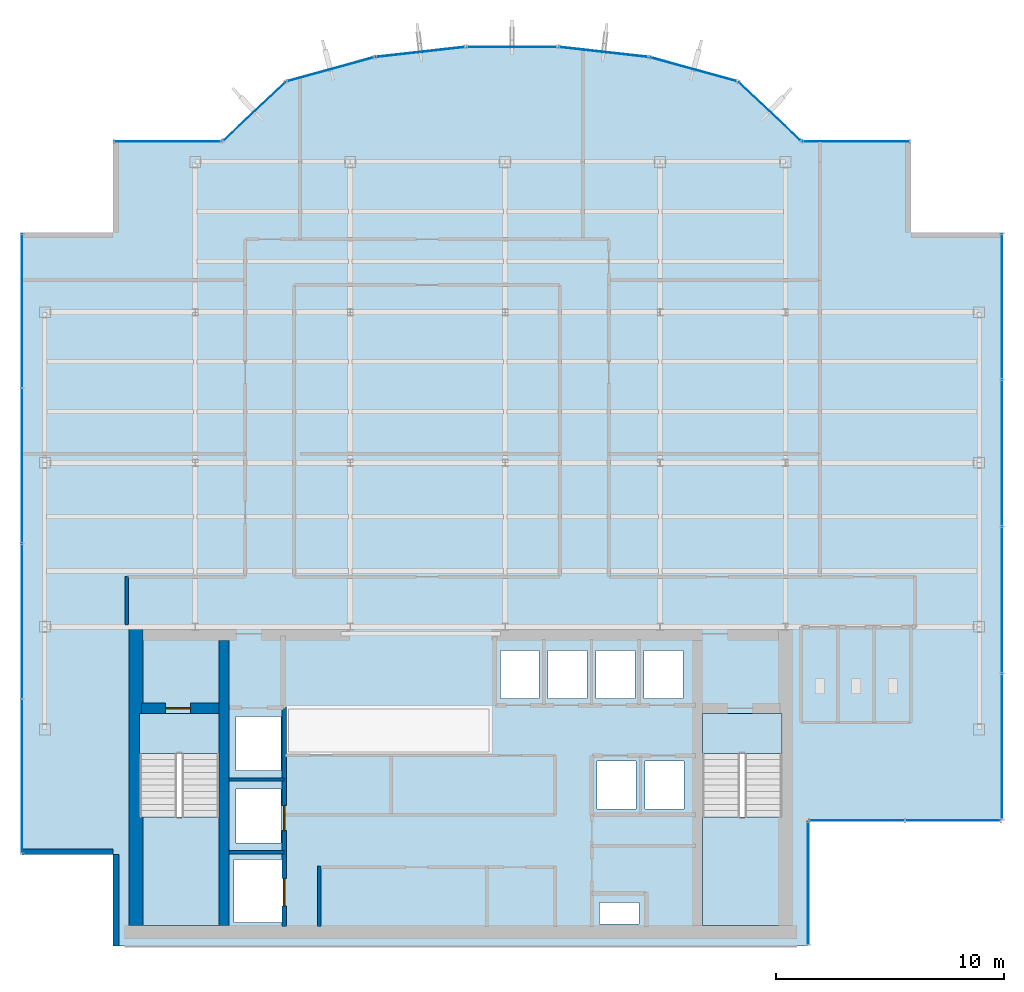
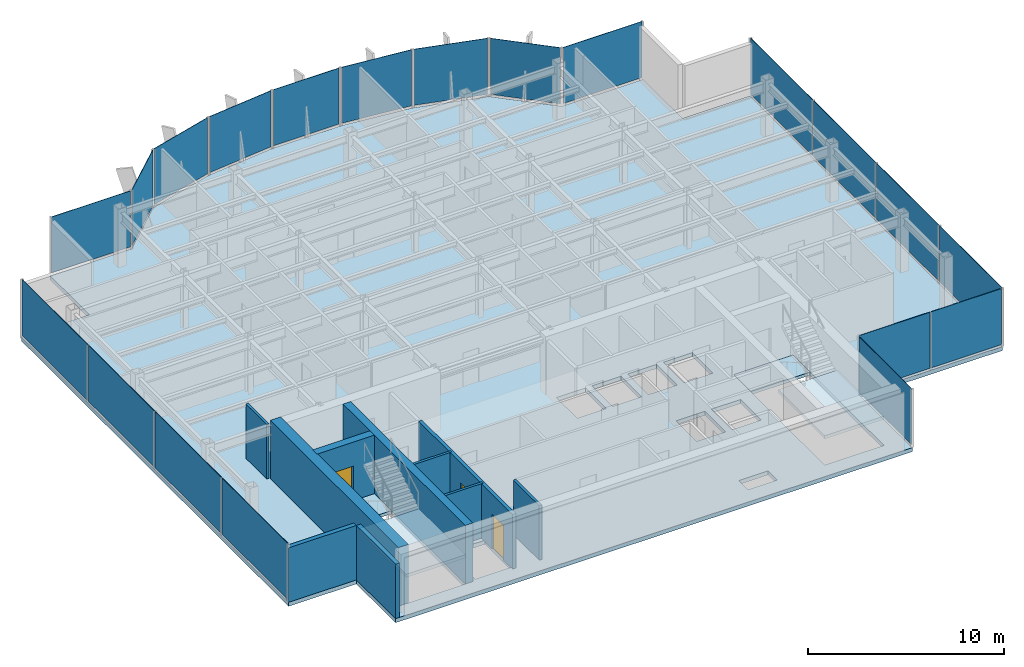
# One storey, part 16 of 22: 20 plates, 10 walls, 5 slabs, 3 doors, 3 openings, 15 elements without a shape of their own.
"""IFC4 building model written with IfcOpenShell, lengths in metres."""

from ifc_helpers import new_model, si_unit, derived_unit, direction, frame, frame_2d, origin, origin_2d, place, context, subcontext, project, spatial, polyline, rectangle, outline, extrude, source, transform, mapped, material, layer, layer_set, type_object, element, fill, aggregate, save


model = new_model("IFC4")

# Units and contexts
model_context = context("Model", 3, precision=1e-05, world=origin(), true_north=direction((0.0, 1.0)))
body_context = subcontext(model_context, "Body", "Model", "MODEL_VIEW")
ifc_project = project(units=[si_unit("LENGTHUNIT", "METRE"), si_unit("AREAUNIT", "SQUARE_METRE"), si_unit("VOLUMEUNIT", "CUBIC_METRE"), si_unit("PLANEANGLEUNIT", "RADIAN"), si_unit("MASSUNIT", "GRAM", prefix="KILO"), derived_unit("THERMALTRANSMITTANCEUNIT", [(si_unit("POWERUNIT", "WATT"), 1), (si_unit("LENGTHUNIT", "METRE"), -2), (si_unit("THERMODYNAMICTEMPERATUREUNIT", "KELVIN"), -1)])], contexts=[model_context])

# Site, building, storey
site_placement = place(None, origin())
site = spatial("IfcSite", under=ifc_project, at=site_placement, CompositionType="ELEMENT")
building_placement = place(site_placement, origin())
building = spatial("IfcBuilding", under=site, at=building_placement, Name="Skarnbrae Concourse Arena and Tower", CompositionType="ELEMENT")
storey_placement = place(building_placement, frame((0.0, 0.0, 277.050048828125)))
storey = spatial("IfcBuildingStorey", under=building, at=storey_placement, Name="L72", CompositionType="ELEMENT", Elevation=277.050048828125)

# Stair, slab
ifc_material_1 = material(Name="Concrete 40 MPa (C40/50)", Category="concrete")
stair_type = type_object("IfcStairType", Name="STAIR-DOGLEG-1650", PredefinedType="HALF_TURN_STAIR", material=ifc_material_1)
stair_1_placement = place(storey_placement, origin())
stair_1 = element("IfcStair", 1, at=stair_1_placement, inside=storey, type_object=stair_type, Name="L72 Protected Exit Stair ST-1", PredefinedType="HALF_TURN_STAIR")
ifc_layer_1 = layer(ifc_material_1, 0.199951171875)
ifc_layer_set_1 = layer_set([ifc_layer_1], Name="Concrete 40 MPa (C40/50)")
slab_type_1 = type_object("IfcSlabType", Name="SLAB-LANDING-200", PredefinedType="LANDING", material=ifc_layer_set_1)
slab_1_placement = place(storey_placement, frame((0.0, 0.0, 1.625)))
slab_1 = element("IfcSlab", 2, at=slab_1_placement, type_object=slab_type_1, Name="ST-1 landing 1", PredefinedType="LANDING", context=body_context, shape_type="SweptSolid", body=[
    extrude(outline(polyline([(5.14990234375, 5.64990234375), (5.14990234375, 0.89990234375), (8.64990234375, 0.89990234375), (8.64990234375, 5.64990234375), (5.14990234375, 5.64990234375)])), origin(), (0.0, 0.0, 1.0), 0.199951171875),
])
aggregate(stair_1, [slab_1])

stair_2_placement = place(storey_placement, origin())
stair_2 = element("IfcStair", 3, at=stair_2_placement, inside=storey, type_object=stair_type, Name="L72 Protected Exit Stair ST-2", PredefinedType="HALF_TURN_STAIR")
slab_2_placement = place(storey_placement, frame((0.0, 0.0, 1.625)))
slab_2 = element("IfcSlab", 4, at=slab_2_placement, type_object=slab_type_1, Name="ST-2 landing 1", PredefinedType="LANDING", context=body_context, shape_type="SweptSolid", body=[
    extrude(outline(polyline([(29.85009765625, 5.64990234375), (29.85009765625, 0.89990234375), (33.35009765625, 0.89990234375), (33.35009765625, 5.64990234375), (29.85009765625, 5.64990234375)])), origin(), (0.0, 0.0, 1.0), 0.199951171875),
])
aggregate(stair_2, [slab_2])

# Slabs
slab_3_placement = place(storey_placement, frame((0.0, 0.0, -0.199951171875)))
element("IfcSlab", 5, at=slab_3_placement, inside=storey, type_object=slab_type_1, Name="L72 Core stair ST1 floor landing", PredefinedType="LANDING", context=body_context, shape_type="SweptSolid", body=[
    extrude(outline(polyline([(5.14990234375, 10.199951171875), (5.14990234375, 8.449951171875), (8.64990234375, 8.449951171875), (8.64990234375, 10.199951171875), (5.14990234375, 10.199951171875)])), origin(), (0.0, 0.0, 1.0), 0.199951171875),
])
slab_4_placement = place(storey_placement, frame((0.0, 0.0, -0.199951171875)))
element("IfcSlab", 6, at=slab_4_placement, inside=storey, type_object=slab_type_1, Name="L72 Core stair ST2 floor landing", PredefinedType="LANDING", context=body_context, shape_type="SweptSolid", body=[
    extrude(outline(polyline([(29.85009765625, 10.199951171875), (29.85009765625, 8.449951171875), (33.35009765625, 8.449951171875), (33.35009765625, 10.199951171875), (29.85009765625, 10.199951171875)])), origin(), (0.0, 0.0, 1.0), 0.199951171875),
])
ifc_layer_2 = layer(ifc_material_1, 0.25)
ifc_layer_set_2 = layer_set([ifc_layer_2], Name="Concrete 40 MPa (C40/50)")
slab_type_2 = type_object("IfcSlabType", Name="SLAB-TOWER-250", PredefinedType="FLOOR", material=ifc_layer_set_2)
slab_5_placement = place(storey_placement, frame((0.0, 0.0, -0.25)))
element("IfcSlab", 7, at=slab_5_placement, inside=storey, type_object=slab_type_2, Name="L72 Structural floor slab", PredefinedType="FLOOR", context=body_context, shape_type="SweptSolid", body=[
    extrude(outline(polyline([(4.0, 0.0), (34.5, 0.0), (34.5, 5.5), (43.0, 5.5), (43.0, 31.300048828125), (39.0, 31.300048828125), (39.0, 35.300048828125), (34.199951171875, 35.300048828125), (31.40966796875, 37.9267578125), (27.52587890625, 38.9970703125), (23.51708984375, 39.44677734375), (19.48291015625, 39.44677734375), (15.47412109375, 38.9970703125), (11.59033203125, 37.9267578125), (8.800048828125, 35.300048828125), (4.0, 35.300048828125), (4.0, 31.300048828125), (0.0, 31.300048828125), (0.0, 4.0), (4.0, 4.0), (4.0, 0.0)]), holes=[polyline([(9.294921875, 1.02001953125), (9.294921875, 3.780029296875), (11.455078125, 3.780029296875), (11.455078125, 1.02001953125), (9.294921875, 1.02001953125)]), polyline([(8.64990234375, 10.199951171875), (8.64990234375, 0.89990234375), (5.14990234375, 0.89990234375), (5.14990234375, 10.199951171875), (8.64990234375, 10.199951171875)]), polyline([(9.39501953125, 6.8798828125), (11.35498046875, 6.8798828125), (11.35498046875, 4.52001953125), (9.39501953125, 4.52001953125), (9.39501953125, 6.8798828125)]), polyline([(9.39501953125, 7.695068359375), (9.39501953125, 10.054931640625), (11.35498046875, 10.054931640625), (11.35498046875, 7.695068359375), (9.39501953125, 7.695068359375)]), polyline([(20.985107421875, 12.955078125), (22.695068359375, 12.955078125), (22.695068359375, 10.844970703125), (20.985107421875, 10.844970703125), (20.985107421875, 12.955078125)]), polyline([(23.0849609375, 12.955078125), (24.794921875, 12.955078125), (24.794921875, 10.844970703125), (23.0849609375, 10.844970703125), (23.0849609375, 12.955078125)]), polyline([(25.35009765625, 0.949951171875), (25.35009765625, 1.889892578125), (27.080078125, 1.889892578125), (27.080078125, 0.949951171875), (25.35009765625, 0.949951171875)]), polyline([(33.35009765625, 10.199951171875), (33.35009765625, 0.89990234375), (29.85009765625, 0.89990234375), (29.85009765625, 10.199951171875), (33.35009765625, 10.199951171875)]), polyline([(25.235107421875, 8.10498046875), (26.945068359375, 8.10498046875), (26.945068359375, 5.9951171875), (25.235107421875, 5.9951171875), (25.235107421875, 8.10498046875)]), polyline([(27.3349609375, 5.9951171875), (27.3349609375, 8.10498046875), (29.044921875, 8.10498046875), (29.044921875, 5.9951171875), (27.3349609375, 5.9951171875)]), polyline([(25.18505859375, 12.955078125), (26.89501953125, 12.955078125), (26.89501953125, 10.844970703125), (25.18505859375, 10.844970703125), (25.18505859375, 12.955078125)]), polyline([(27.284912109375, 12.955078125), (28.9951171875, 12.955078125), (28.9951171875, 10.844970703125), (27.284912109375, 10.844970703125), (27.284912109375, 12.955078125)])]), origin(), (0.0, 0.0, 1.0), 0.25),
])

# Curtain wall, plate
ifc_material_2 = material(Name="Bronze anodised aluminium 6063-T6", Category="aluminium")
curtain_wall_type = type_object("IfcCurtainWallType", Name="CW-SYS-05-HIGHZONE", PredefinedType="USERDEFINED", material=ifc_material_2)
curtain_wall_1_placement = place(storey_placement, origin())
curtain_wall_1 = element("IfcCurtainWall", 8, at=curtain_wall_1_placement, inside=storey, type_object=curtain_wall_type, Name="L72 Unitised curtain wall CW-L72-E02", ObjectType="UNITISED CURTAIN WALL", PredefinedType="USERDEFINED")
ifc_material_3 = material(Name="Low-E triple insulating glass", Category="glass")
ifc_layer_3 = layer(ifc_material_3, 0.030029296875)
ifc_layer_set_3 = layer_set([ifc_layer_3], Name="Low-E triple insulating glass")
plate_type = type_object("IfcPlateType", Name="CWP-CW-05", PredefinedType="CURTAIN_PANEL", material=ifc_layer_set_3)
shared_shape_1 = source(origin(), body_context, "Body", "SweptSolid", [
    extrude(rectangle(XDim=5.35009765625, YDim=0.030029296875, at=origin_2d()), origin(), (0.0, 0.0, 1.0), 3.5),
])
plate_1_placement = place(storey_placement, frame((34.5, 2.75, 0.14990234375), z_axis=(0.0, 0.0, 1.0), x_axis=(0.0, 1.0, 0.0)))
plate_1 = element("IfcPlate", 9, at=plate_1_placement, type_object=plate_type, Name="CW-L72-E02 Low-E Glazing Panel 1", PredefinedType="CURTAIN_PANEL", context=body_context, shape_type="MappedRepresentation", body=[
    mapped(shared_shape_1, transform((0.0, 0.0, 0.0))),
])
aggregate(curtain_wall_1, [plate_1])

# Curtain wall, plates
curtain_wall_2_placement = place(storey_placement, origin())
curtain_wall_2 = element("IfcCurtainWall", 10, at=curtain_wall_2_placement, inside=storey, type_object=curtain_wall_type, Name="L72 Unitised curtain wall CW-L72-E03", ObjectType="UNITISED CURTAIN WALL", PredefinedType="USERDEFINED")
shared_shape_2 = source(origin(), body_context, "Body", "SweptSolid", [
    extrude(rectangle(XDim=4.137451171875, YDim=0.030029296875, at=origin_2d()), origin(), (0.0, 0.0, 1.0), 3.5),
])
plate_2_placement = place(storey_placement, frame((36.643798828125, 5.5, 0.14990234375), z_axis=(0.0, 0.0, 1.0), x_axis=(1.0, 0.0, 0.0)))
plate_2 = element("IfcPlate", 11, at=plate_2_placement, type_object=plate_type, Name="CW-L72-E03 Low-E Glazing Panel 1", PredefinedType="CURTAIN_PANEL", context=body_context, shape_type="MappedRepresentation", body=[
    mapped(shared_shape_2, transform((0.0, 0.0, 0.0))),
])
plate_3_placement = place(storey_placement, frame((40.856201171875, 5.5, 0.14990234375), z_axis=(0.0, 0.0, 1.0), x_axis=(1.0, 0.0, 0.0)))
plate_3 = element("IfcPlate", 12, at=plate_3_placement, type_object=plate_type, Name="CW-L72-E03 Low-E Glazing Panel 2", PredefinedType="CURTAIN_PANEL", context=body_context, shape_type="MappedRepresentation", body=[
    mapped(shared_shape_2, transform((0.0, 0.0, 0.0))),
])
aggregate(curtain_wall_2, [plate_2, plate_3])

# Curtain wall, plate
curtain_wall_3_placement = place(storey_placement, origin())
curtain_wall_3 = element("IfcCurtainWall", 13, at=curtain_wall_3_placement, inside=storey, type_object=curtain_wall_type, Name="L72 Unitised curtain wall CW-L72-E07", ObjectType="UNITISED CURTAIN WALL", PredefinedType="USERDEFINED")
shared_shape_3 = source(origin(), body_context, "Body", "SweptSolid", [
    extrude(rectangle(XDim=4.64990234375, YDim=0.030029296875, at=origin_2d()), origin(), (0.0, 0.0, 1.0), 3.5),
])
plate_4_placement = place(storey_placement, frame((36.60009765625, 35.300048828125, 0.14990234375), z_axis=(0.0, 0.0, 1.0), x_axis=(-1.0, 0.0, 0.0)))
plate_4 = element("IfcPlate", 14, at=plate_4_placement, type_object=plate_type, Name="CW-L72-E07 Low-E Glazing Panel 1", PredefinedType="CURTAIN_PANEL", context=body_context, shape_type="MappedRepresentation", body=[
    mapped(shared_shape_3, transform((0.0, 0.0, 0.0))),
])
aggregate(curtain_wall_3, [plate_4])

curtain_wall_4_placement = place(storey_placement, origin())
curtain_wall_4 = element("IfcCurtainWall", 15, at=curtain_wall_4_placement, inside=storey, type_object=curtain_wall_type, Name="L72 Unitised curtain wall CW-L72-E15", ObjectType="UNITISED CURTAIN WALL", PredefinedType="USERDEFINED")
plate_5_placement = place(storey_placement, frame((6.39990234375, 35.300048828125, 0.14990234375), z_axis=(0.0, 0.0, 1.0), x_axis=(-1.0, 0.0, 0.0)))
plate_5 = element("IfcPlate", 16, at=plate_5_placement, type_object=plate_type, Name="CW-L72-E15 Low-E Glazing Panel 1", PredefinedType="CURTAIN_PANEL", context=body_context, shape_type="MappedRepresentation", body=[
    mapped(shared_shape_3, transform((0.0, 0.0, 0.0))),
])
aggregate(curtain_wall_4, [plate_5])

curtain_wall_5_placement = place(storey_placement, origin())
curtain_wall_5 = element("IfcCurtainWall", 17, at=curtain_wall_5_placement, inside=storey, type_object=curtain_wall_type, Name="L72 Unitised curtain wall CW-L72-E08", ObjectType="UNITISED CURTAIN WALL", PredefinedType="USERDEFINED")
shared_shape_4 = source(origin(), body_context, "Body", "SweptSolid", [
    extrude(rectangle(XDim=3.68212890625, YDim=0.030029296875, at=origin_2d()), origin(), (0.0, 0.0, 1.0), 3.5),
])
plate_6_placement = place(storey_placement, frame((32.804931640625, 36.61328125, 0.14990234375), z_axis=(0.0, 0.0, 1.0), x_axis=(-0.728130555214, 0.685438468838, 0.0)))
plate_6 = element("IfcPlate", 18, at=plate_6_placement, type_object=plate_type, Name="CW-L72-E08 Low-E Glazing Panel 1", PredefinedType="CURTAIN_PANEL", context=body_context, shape_type="MappedRepresentation", body=[
    mapped(shared_shape_4, transform((0.0, 0.0, 0.0))),
])
aggregate(curtain_wall_5, [plate_6])

curtain_wall_6_placement = place(storey_placement, origin())
curtain_wall_6 = element("IfcCurtainWall", 19, at=curtain_wall_6_placement, inside=storey, type_object=curtain_wall_type, Name="L72 Unitised curtain wall CW-L72-E14", ObjectType="UNITISED CURTAIN WALL", PredefinedType="USERDEFINED")
plate_7_placement = place(storey_placement, frame((10.195068359375, 36.61328125, 0.14990234375), z_axis=(0.0, 0.0, 1.0), x_axis=(-0.728130555214, -0.685438468838, 0.0)))
plate_7 = element("IfcPlate", 20, at=plate_7_placement, type_object=plate_type, Name="CW-L72-E14 Low-E Glazing Panel 1", PredefinedType="CURTAIN_PANEL", context=body_context, shape_type="MappedRepresentation", body=[
    mapped(shared_shape_4, transform((0.0, 0.0, 0.0))),
])
aggregate(curtain_wall_6, [plate_7])

curtain_wall_7_placement = place(storey_placement, origin())
curtain_wall_7 = element("IfcCurtainWall", 21, at=curtain_wall_7_placement, inside=storey, type_object=curtain_wall_type, Name="L72 Unitised curtain wall CW-L72-E09", ObjectType="UNITISED CURTAIN WALL", PredefinedType="USERDEFINED")
shared_shape_5 = source(origin(), body_context, "Body", "SweptSolid", [
    extrude(rectangle(XDim=3.878662109375, YDim=0.030029296875, at=origin_2d()), origin(), (0.0, 0.0, 1.0), 3.5),
])
plate_8_placement = place(storey_placement, frame((29.4677734375, 38.4619140625, 0.14990234375), z_axis=(0.0, 0.0, 1.0), x_axis=(-0.964057388766, 0.265694093207, 0.0)))
plate_8 = element("IfcPlate", 22, at=plate_8_placement, type_object=plate_type, Name="CW-L72-E09 Low-E Glazing Panel 1", PredefinedType="CURTAIN_PANEL", context=body_context, shape_type="MappedRepresentation", body=[
    mapped(shared_shape_5, transform((0.0, 0.0, 0.0))),
])
aggregate(curtain_wall_7, [plate_8])

curtain_wall_8_placement = place(storey_placement, origin())
curtain_wall_8 = element("IfcCurtainWall", 23, at=curtain_wall_8_placement, inside=storey, type_object=curtain_wall_type, Name="L72 Unitised curtain wall CW-L72-E13", ObjectType="UNITISED CURTAIN WALL", PredefinedType="USERDEFINED")
plate_9_placement = place(storey_placement, frame((13.5322265625, 38.4619140625, 0.14990234375), z_axis=(0.0, 0.0, 1.0), x_axis=(-0.964057388766, -0.265694093207, 0.0)))
plate_9 = element("IfcPlate", 24, at=plate_9_placement, type_object=plate_type, Name="CW-L72-E13 Low-E Glazing Panel 1", PredefinedType="CURTAIN_PANEL", context=body_context, shape_type="MappedRepresentation", body=[
    mapped(shared_shape_5, transform((0.0, 0.0, 0.0))),
])
aggregate(curtain_wall_8, [plate_9])

curtain_wall_9_placement = place(storey_placement, origin())
curtain_wall_9 = element("IfcCurtainWall", 25, at=curtain_wall_9_placement, inside=storey, type_object=curtain_wall_type, Name="L72 Unitised curtain wall CW-L72-E10", ObjectType="UNITISED CURTAIN WALL", PredefinedType="USERDEFINED")
shared_shape_6 = source(origin(), body_context, "Body", "SweptSolid", [
    extrude(rectangle(XDim=3.8837890625, YDim=0.030029296875, at=origin_2d()), origin(), (0.0, 0.0, 1.0), 3.5),
])
plate_10_placement = place(storey_placement, frame((25.521484375, 39.221923828125, 0.14990234375), z_axis=(0.0, 0.0, 1.0), x_axis=(-0.993768891873, 0.111460259941, 0.0)))
plate_10 = element("IfcPlate", 26, at=plate_10_placement, type_object=plate_type, Name="CW-L72-E10 Low-E Glazing Panel 1", PredefinedType="CURTAIN_PANEL", context=body_context, shape_type="MappedRepresentation", body=[
    mapped(shared_shape_6, transform((0.0, 0.0, 0.0))),
])
aggregate(curtain_wall_9, [plate_10])

curtain_wall_10_placement = place(storey_placement, origin())
curtain_wall_10 = element("IfcCurtainWall", 27, at=curtain_wall_10_placement, inside=storey, type_object=curtain_wall_type, Name="L72 Unitised curtain wall CW-L72-E12", ObjectType="UNITISED CURTAIN WALL", PredefinedType="USERDEFINED")
plate_11_placement = place(storey_placement, frame((17.478515625, 39.221923828125, 0.14990234375), z_axis=(0.0, 0.0, 1.0), x_axis=(-0.993768891873, -0.111460259941, 0.0)))
plate_11 = element("IfcPlate", 28, at=plate_11_placement, type_object=plate_type, Name="CW-L72-E12 Low-E Glazing Panel 1", PredefinedType="CURTAIN_PANEL", context=body_context, shape_type="MappedRepresentation", body=[
    mapped(shared_shape_6, transform((0.0, 0.0, 0.0))),
])
aggregate(curtain_wall_10, [plate_11])

curtain_wall_11_placement = place(storey_placement, origin())
curtain_wall_11 = element("IfcCurtainWall", 29, at=curtain_wall_11_placement, inside=storey, type_object=curtain_wall_type, Name="L72 Unitised curtain wall CW-L72-E11", ObjectType="UNITISED CURTAIN WALL", PredefinedType="USERDEFINED")
shared_shape_7 = source(origin(), body_context, "Body", "SweptSolid", [
    extrude(rectangle(XDim=3.884521484375, YDim=0.030029296875, at=origin_2d()), origin(), (0.0, 0.0, 1.0), 3.5),
])
plate_12_placement = place(storey_placement, frame((21.5, 39.44677734375, 0.14990234375), z_axis=(0.0, 0.0, 1.0), x_axis=(-1.0, 0.0, 0.0)))
plate_12 = element("IfcPlate", 30, at=plate_12_placement, type_object=plate_type, Name="CW-L72-E11 Low-E Glazing Panel 1", PredefinedType="CURTAIN_PANEL", context=body_context, shape_type="MappedRepresentation", body=[
    mapped(shared_shape_7, transform((0.0, 0.0, 0.0))),
])
aggregate(curtain_wall_11, [plate_12])

# Curtain wall, plates
curtain_wall_12_placement = place(storey_placement, origin())
curtain_wall_12 = element("IfcCurtainWall", 31, at=curtain_wall_12_placement, inside=storey, type_object=curtain_wall_type, Name="L72 Unitised curtain wall CW-L72-E18", ObjectType="UNITISED CURTAIN WALL", PredefinedType="USERDEFINED")
shared_shape_8 = source(origin(), body_context, "Body", "SweptSolid", [
    extrude(rectangle(XDim=6.71240234375, YDim=0.030029296875, at=origin_2d()), origin(), (0.0, 0.0, 1.0), 3.5),
])
plate_13_placement = place(storey_placement, frame((0.0, 27.86865234375, 0.14990234375), z_axis=(0.0, 0.0, 1.0), x_axis=(0.0, -1.0, 0.0)))
plate_13 = element("IfcPlate", 32, at=plate_13_placement, type_object=plate_type, Name="CW-L72-E18 Low-E Glazing Panel 1", PredefinedType="CURTAIN_PANEL", context=body_context, shape_type="MappedRepresentation", body=[
    mapped(shared_shape_8, transform((0.0, 0.0, 0.0))),
])
plate_14_placement = place(storey_placement, frame((0.0, 7.431396484375, 0.14990234375), z_axis=(0.0, 0.0, 1.0), x_axis=(0.0, -1.0, 0.0)))
plate_14 = element("IfcPlate", 33, at=plate_14_placement, type_object=plate_type, Name="CW-L72-E18 Low-E Glazing Panel 4", PredefinedType="CURTAIN_PANEL", context=body_context, shape_type="MappedRepresentation", body=[
    mapped(shared_shape_8, transform((0.0, 0.0, 0.0))),
])
shared_shape_9 = source(origin(), body_context, "Body", "SweptSolid", [
    extrude(rectangle(XDim=6.75, YDim=0.030029296875, at=origin_2d()), origin(), (0.0, 0.0, 1.0), 3.5),
])
plate_15_placement = place(storey_placement, frame((0.0, 21.0625, 0.14990234375), z_axis=(0.0, 0.0, 1.0), x_axis=(0.0, -1.0, 0.0)))
plate_15 = element("IfcPlate", 34, at=plate_15_placement, type_object=plate_type, Name="CW-L72-E18 Low-E Glazing Panel 2", PredefinedType="CURTAIN_PANEL", context=body_context, shape_type="MappedRepresentation", body=[
    mapped(shared_shape_9, transform((0.0, 0.0, 0.0))),
])
plate_16_placement = place(storey_placement, frame((0.0, 14.237548828125, 0.14990234375), z_axis=(0.0, 0.0, 1.0), x_axis=(0.0, -1.0, 0.0)))
plate_16 = element("IfcPlate", 35, at=plate_16_placement, type_object=plate_type, Name="CW-L72-E18 Low-E Glazing Panel 3", PredefinedType="CURTAIN_PANEL", context=body_context, shape_type="MappedRepresentation", body=[
    mapped(shared_shape_9, transform((0.0, 0.0, 0.0))),
])
aggregate(curtain_wall_12, [plate_13, plate_15, plate_16, plate_14])

curtain_wall_13_placement = place(storey_placement, origin())
curtain_wall_13 = element("IfcCurtainWall", 36, at=curtain_wall_13_placement, inside=storey, type_object=curtain_wall_type, Name="L72 Unitised curtain wall CW-L72-E04", ObjectType="UNITISED CURTAIN WALL", PredefinedType="USERDEFINED")
shared_shape_10 = source(origin(), body_context, "Body", "SweptSolid", [
    extrude(rectangle(XDim=6.33740234375, YDim=0.030029296875, at=origin_2d()), origin(), (0.0, 0.0, 1.0), 3.5),
])
plate_17_placement = place(storey_placement, frame((43.0, 8.743896484375, 0.14990234375), z_axis=(0.0, 0.0, 1.0), x_axis=(0.0, 1.0, 0.0)))
plate_17 = element("IfcPlate", 37, at=plate_17_placement, type_object=plate_type, Name="CW-L72-E04 Low-E Glazing Panel 1", PredefinedType="CURTAIN_PANEL", context=body_context, shape_type="MappedRepresentation", body=[
    mapped(shared_shape_10, transform((0.0, 0.0, 0.0))),
])
plate_18_placement = place(storey_placement, frame((43.0, 28.05615234375, 0.14990234375), z_axis=(0.0, 0.0, 1.0), x_axis=(0.0, 1.0, 0.0)))
plate_18 = element("IfcPlate", 38, at=plate_18_placement, type_object=plate_type, Name="CW-L72-E04 Low-E Glazing Panel 4", PredefinedType="CURTAIN_PANEL", context=body_context, shape_type="MappedRepresentation", body=[
    mapped(shared_shape_10, transform((0.0, 0.0, 0.0))),
])
shared_shape_11 = source(origin(), body_context, "Body", "SweptSolid", [
    extrude(rectangle(XDim=6.375, YDim=0.030029296875, at=origin_2d()), origin(), (0.0, 0.0, 1.0), 3.5),
])
plate_19_placement = place(storey_placement, frame((43.0, 15.175048828125, 0.14990234375), z_axis=(0.0, 0.0, 1.0), x_axis=(0.0, 1.0, 0.0)))
plate_19 = element("IfcPlate", 39, at=plate_19_placement, type_object=plate_type, Name="CW-L72-E04 Low-E Glazing Panel 2", PredefinedType="CURTAIN_PANEL", context=body_context, shape_type="MappedRepresentation", body=[
    mapped(shared_shape_11, transform((0.0, 0.0, 0.0))),
])
plate_20_placement = place(storey_placement, frame((43.0, 21.625, 0.14990234375), z_axis=(0.0, 0.0, 1.0), x_axis=(0.0, 1.0, 0.0)))
plate_20 = element("IfcPlate", 40, at=plate_20_placement, type_object=plate_type, Name="CW-L72-E04 Low-E Glazing Panel 3", PredefinedType="CURTAIN_PANEL", context=body_context, shape_type="MappedRepresentation", body=[
    mapped(shared_shape_11, transform((0.0, 0.0, 0.0))),
])
aggregate(curtain_wall_13, [plate_17, plate_19, plate_20, plate_18])

# Wall, opening, door
ifc_material_4 = material(Name="Concrete 50 MPa (C50/60)", Category="concrete")
ifc_layer_4 = layer(ifc_material_4, 0.449951171875)
ifc_layer_set_4 = layer_set([ifc_layer_4], Name="Concrete 50 MPa (C50/60)")
wall_type_1 = type_object("IfcWallType", Name="WALL-CORE-450-C50", PredefinedType="SHEAR", material=ifc_layer_set_4)
shared_shape_12 = source(origin(), body_context, "Body", "SweptSolid", [
    extrude(rectangle(XDim=3.389892578125, YDim=0.449951171875, at=frame_2d((1.69482421875, 0.0))), origin(), (0.0, 0.0, 1.0), 3.64990234375),
])
wall_1_placement = place(storey_placement, frame((5.25, 10.419921875, 0.0), z_axis=(0.0, 0.0, 1.0), x_axis=(1.0, 0.0, 0.0)))
wall_1 = element("IfcWall", 41, at=wall_1_placement, inside=storey, type_object=wall_type_1, Name="L72 Rear core shear wall CW-ST1-N", PredefinedType="SHEAR", context=body_context, shape_type="MappedRepresentation", body=[
    mapped(shared_shape_12, transform((0.0, 0.0, 0.0))),
])
opening_1_placement = place(wall_1_placement, frame((1.050048828125, 0.0, 0.0)))
opening_1 = element("IfcOpeningElement", 42, at=opening_1_placement, cuts=wall_1, Name="Opening DT-03", PredefinedType="OPENING", context=body_context, shape_type="SweptSolid", body=[
    extrude(rectangle(XDim=1.10009765625, YDim=2.14990234375, at=frame_2d((0.550048828125, 1.074951171875))), frame((0.0, 0.23486328125, 0.0), z_axis=(0.0, -1.0, 0.0), x_axis=(1.0, 0.0, 0.0)), (0.0, 0.0, 1.0), 0.469970703125),
])
ifc_material_5 = material(Name="Steel CSA G40.21 350W", Category="steel")
door_type_1 = type_object("IfcDoorType", Name="DOOR-FIRE-1100-90M", OperationType="NOTDEFINED", PredefinedType="DOOR", material=ifc_material_5)
shared_shape_13 = source(origin(), body_context, "Body", "SweptSolid", [
    extrude(rectangle(XDim=1.10009765625, YDim=2.14990234375, at=frame_2d((0.550048828125, 1.074951171875))), frame((0.0, 0.02490234375, 0.0), z_axis=(0.0, -1.0, 0.0), x_axis=(1.0, 0.0, 0.0)), (0.0, 0.0, 1.0), 0.050048828125),
])
door_1_placement = place(opening_1_placement, frame((1.10009765625, 0.0, 0.0), z_axis=(0.0, 0.0, 1.0), x_axis=(-1.0, 0.0, 0.0)))
door_1 = element("IfcDoor", 43, at=door_1_placement, inside=storey, type_object=door_type_1, Name="D-2170 Stair ST-1 Door", OperationType="SINGLE_SWING_LEFT", OverallHeight=2.14990234375, OverallWidth=1.10009765625, PredefinedType="DOOR", context=body_context, shape_type="MappedRepresentation", body=[
    mapped(shared_shape_13, transform((0.0, 0.0, 0.0))),
])
fill(opening_1, door_1)

# Walls
ifc_layer_5 = layer(ifc_material_4, 0.60009765625)
ifc_layer_set_5 = layer_set([ifc_layer_5], Name="Concrete 50 MPa (C50/60)")
wall_type_2 = type_object("IfcWallType", Name="WALL-CORE-600-C50", PredefinedType="SHEAR", material=ifc_layer_set_5)
shared_shape_14 = source(origin(), body_context, "Body", "SweptSolid", [
    extrude(rectangle(XDim=13.10009765625, YDim=0.60009765625, at=frame_2d((6.550048828125, 0.0))), origin(), (0.0, 0.0, 1.0), 3.64990234375),
])
wall_2_placement = place(storey_placement, frame((5.0, 0.89990234375, 0.0), z_axis=(0.0, 0.0, 1.0), x_axis=(0.0, 1.0, 0.0)))
element("IfcWall", 44, at=wall_2_placement, inside=storey, type_object=wall_type_2, Name="L72 Rear core shear wall CW-W", PredefinedType="SHEAR", context=body_context, shape_type="MappedRepresentation", body=[
    mapped(shared_shape_14, transform((0.0, 0.0, 0.0))),
])
shared_shape_15 = source(origin(), body_context, "Body", "SweptSolid", [
    extrude(rectangle(XDim=12.5, YDim=0.449951171875, at=frame_2d((6.25, 0.0))), origin(), (0.0, 0.0, 1.0), 3.64990234375),
])
wall_3_placement = place(storey_placement, frame((8.864990234375, 0.89990234375, 0.0), z_axis=(0.0, 0.0, 1.0), x_axis=(0.0, 1.0, 0.0)))
element("IfcWall", 45, at=wall_3_placement, inside=storey, type_object=wall_type_1, Name="L72 Rear core shear wall CW-WEB-W", PredefinedType="SHEAR", context=body_context, shape_type="MappedRepresentation", body=[
    mapped(shared_shape_15, transform((0.0, 0.0, 0.0))),
])
ifc_material_6 = material(Name="Precast concrete 40 MPa (C40/50)", Category="concrete")
ifc_layer_6 = layer(ifc_material_6, 0.25)
ifc_layer_set_6 = layer_set([ifc_layer_6], Name="Precast concrete 40 MPa (C40/50)")
wall_type_3 = type_object("IfcWallType", Name="WALL-EXT-SPANDREL-250", PredefinedType="STANDARD", material=ifc_layer_set_6)
shared_shape_16 = source(origin(), body_context, "Body", "SweptSolid", [
    extrude(rectangle(XDim=4.0, YDim=0.25, at=frame_2d((2.0, 0.0))), origin(), (0.0, 0.0, 1.0), 3.39990234375),
])
for number, where, z_axis, x_axis, name in (
    (46, (0.0, 4.125, 0.0), (0.0, 0.0, 1.0), (1.0, 0.0, 0.0), "L72 Notched corner insulated return wall 19"),
    (47, (4.125, 4.0, 0.0), (0.0, 0.0, 1.0), (0.0, -1.0, 0.0), "L72 Notched corner insulated return wall 20"),
):
    element("IfcWall", number, at=place(storey_placement, frame(where, z_axis=z_axis, x_axis=x_axis)), inside=storey, type_object=wall_type_3, Name=name, PredefinedType="STANDARD", context=body_context, shape_type="MappedRepresentation", body=[
        mapped(shared_shape_16, transform((0.0, 0.0, 0.0))),
    ])

# Wall, openings, doors
ifc_material_7 = material(Name="Gypsum board on cold-formed steel studs", Category="steel")
ifc_layer_7 = layer(ifc_material_7, 0.199951171875)
ifc_layer_set_7 = layer_set([ifc_layer_7], Name="Gypsum board on cold-formed steel studs")
wall_type_4 = type_object("IfcWallType", Name="WALL-PART-200-2HR", PredefinedType="PARTITIONING", material=ifc_layer_set_7)
shared_shape_17 = source(origin(), body_context, "Body", "SweptSolid", [
    extrude(rectangle(XDim=9.599853515625, YDim=0.199951171875, at=frame_2d((4.7998046875, 0.0))), origin(), (0.0, 0.0, 1.0), 3.39990234375),
])
wall_4_placement = place(storey_placement, frame((11.5, 0.85009765625, 0.0), z_axis=(0.0, 0.0, 1.0), x_axis=(0.0, 1.0, 0.0)))
wall_4 = element("IfcWall", 48, at=wall_4_placement, inside=storey, type_object=wall_type_4, Name="L72 Interior partition wall W-L72-FL-E", PredefinedType="PARTITIONING", context=body_context, shape_type="MappedRepresentation", body=[
    mapped(shared_shape_17, transform((0.0, 0.0, 0.0))),
])
opening_2_placement = place(wall_4_placement, frame((4.199951171875, 0.0, 0.0)))
opening_2 = element("IfcOpeningElement", 49, at=opening_2_placement, cuts=wall_4, Name="Opening LD-01", PredefinedType="OPENING", context=body_context, shape_type="SweptSolid", body=[
    extrude(rectangle(XDim=1.10009765625, YDim=2.14990234375, at=frame_2d((0.550048828125, 1.074951171875))), frame((0.0, 0.10986328125, 0.0), z_axis=(0.0, -1.0, 0.0), x_axis=(1.0, 0.0, 0.0)), (0.0, 0.0, 1.0), 0.219970703125),
])
opening_3_placement = place(wall_4_placement, frame((0.89990234375, 0.0, 0.0)))
opening_3 = element("IfcOpeningElement", 50, at=opening_3_placement, cuts=wall_4, Name="Opening LD-02", PredefinedType="OPENING", context=body_context, shape_type="SweptSolid", body=[
    extrude(rectangle(XDim=1.199951171875, YDim=2.14990234375, at=frame_2d((0.60009765625, 1.074951171875))), frame((0.0, 0.10986328125, 0.0), z_axis=(0.0, -1.0, 0.0), x_axis=(1.0, 0.0, 0.0)), (0.0, 0.0, 1.0), 0.219970703125),
])
door_type_2 = type_object("IfcDoorType", Name="DOOR-LIFT-SLIDE-1100", OperationType="SLIDING_TO_LEFT", PredefinedType="DOOR", material=ifc_material_5)
door_2_placement = place(opening_2_placement, frame((1.10009765625, 0.0, 0.0), z_axis=(0.0, 0.0, 1.0), x_axis=(-1.0, 0.0, 0.0)))
door_2 = element("IfcDoor", 51, at=door_2_placement, inside=storey, type_object=door_type_2, Name="D-2175 Firefighting Lift Landing Door FL-02", OperationType="SLIDING_TO_LEFT", OverallHeight=2.14990234375, OverallWidth=1.10009765625, PredefinedType="DOOR", context=body_context, shape_type="MappedRepresentation", body=[
    mapped(shared_shape_13, transform((0.0, 0.0, 0.0))),
])
fill(opening_2, door_2)
door_type_3 = type_object("IfcDoorType", Name="DOOR-LIFT-SLIDE-1200", OperationType="SLIDING_TO_LEFT", PredefinedType="DOOR", material=ifc_material_5)
shared_shape_18 = source(origin(), body_context, "Body", "SweptSolid", [
    extrude(rectangle(XDim=1.199951171875, YDim=2.14990234375, at=frame_2d((0.60009765625, 1.074951171875))), frame((0.0, 0.02490234375, 0.0), z_axis=(0.0, -1.0, 0.0), x_axis=(1.0, 0.0, 0.0)), (0.0, 0.0, 1.0), 0.050048828125),
])
door_3_placement = place(opening_3_placement, frame((1.199951171875, 0.0, 0.0), z_axis=(0.0, 0.0, 1.0), x_axis=(-1.0, 0.0, 0.0)))
door_3 = element("IfcDoor", 52, at=door_3_placement, inside=storey, type_object=door_type_3, Name="D-2176 Service Lift Landing Door SV-01", OperationType="SLIDING_TO_LEFT", OverallHeight=2.14990234375, OverallWidth=1.199951171875, PredefinedType="DOOR", context=body_context, shape_type="MappedRepresentation", body=[
    mapped(shared_shape_18, transform((0.0, 0.0, 0.0))),
])
fill(opening_3, door_3)

# Walls
ifc_layer_8 = layer(ifc_material_7, 0.14990234375)
ifc_layer_set_8 = layer_set([ifc_layer_8], Name="Gypsum board on cold-formed steel studs")
wall_type_5 = type_object("IfcWallType", Name="WALL-PART-150", PredefinedType="PARTITIONING", material=ifc_layer_set_8)
shared_shape_19 = source(origin(), body_context, "Body", "SweptSolid", [
    extrude(rectangle(XDim=2.39990234375, YDim=0.14990234375, at=frame_2d((1.199951171875, 0.0))), origin(), (0.0, 0.0, 1.0), 3.39990234375),
])
for number, where, z_axis, x_axis, name in (
    (53, (9.10009765625, 4.10009765625, 0.0), (0.0, 0.0, 1.0), (1.0, 0.0, 0.0), "L72 Interior partition wall W-L72-FL-D1"),
    (54, (9.10009765625, 7.300048828125, 0.0), (0.0, 0.0, 1.0), (1.0, 0.0, 0.0), "L72 Interior partition wall W-L72-FL-D2"),
):
    element("IfcWall", number, at=place(storey_placement, frame(where, z_axis=z_axis, x_axis=x_axis)), inside=storey, type_object=wall_type_5, Name=name, PredefinedType="PARTITIONING", context=body_context, shape_type="MappedRepresentation", body=[
        mapped(shared_shape_19, transform((0.0, 0.0, 0.0))),
    ])
ifc_layer_9 = layer(ifc_material_7, 0.14990234375)
ifc_layer_set_9 = layer_set([ifc_layer_9], Name="Gypsum board on cold-formed steel studs")
wall_type_6 = type_object("IfcWallType", Name="WALL-PART-150-1HR", PredefinedType="PARTITIONING", material=ifc_layer_set_9)
shared_shape_20 = source(origin(), body_context, "Body", "SweptSolid", [
    extrude(rectangle(XDim=2.64990234375, YDim=0.14990234375, at=frame_2d((1.324951171875, 0.0))), origin(), (0.0, 0.0, 1.0), 3.39990234375),
])
wall_5_placement = place(storey_placement, frame((13.050048828125, 0.85009765625, 0.0), z_axis=(0.0, 0.0, 1.0), x_axis=(0.0, 1.0, 0.0)))
element("IfcWall", 55, at=wall_5_placement, inside=storey, type_object=wall_type_6, Name="L72 Interior partition wall W-L72-B1M-W", PredefinedType="PARTITIONING", context=body_context, shape_type="MappedRepresentation", body=[
    mapped(shared_shape_20, transform((0.0, 0.0, 0.0))),
])
shared_shape_21 = source(origin(), body_context, "Body", "SweptSolid", [
    extrude(rectangle(XDim=2.119873046875, YDim=0.14990234375, at=frame_2d((1.06005859375, 0.0))), origin(), (0.0, 0.0, 1.0), 3.39990234375),
])
wall_6_placement = place(storey_placement, frame((4.60009765625, 14.080078125, 0.0), z_axis=(0.0, 0.0, 1.0), x_axis=(0.0, 1.0, 0.0)))
element("IfcWall", 56, at=wall_6_placement, inside=storey, type_object=wall_type_6, Name="L72 Interior partition wall W-L72-COR-01", PredefinedType="PARTITIONING", context=body_context, shape_type="MappedRepresentation", body=[
    mapped(shared_shape_21, transform((0.0, 0.0, 0.0))),
])

save(model, "model.ifc")
